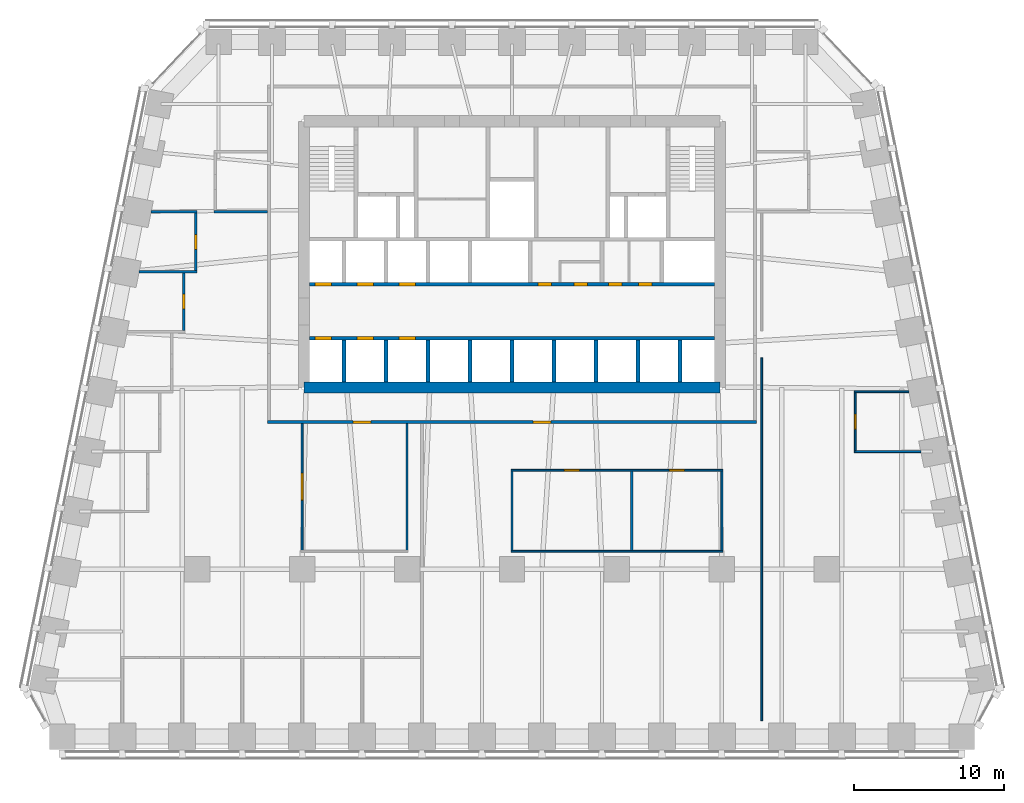
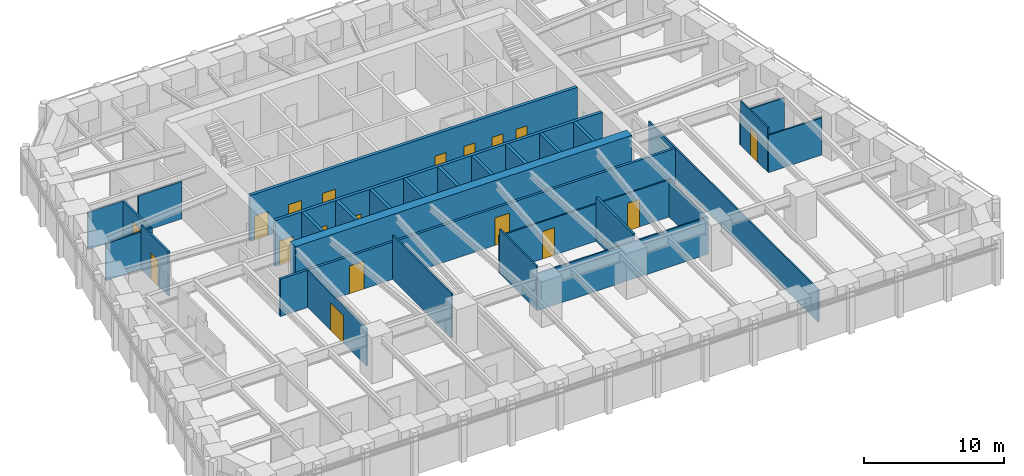
# One storey, part 6 of 10: 29 walls, 18 doors, 18 openings.
"""IFC4 building model written with IfcOpenShell, lengths in metres."""

from ifc_helpers import new_model, si_unit, direction, frame, frame_2d, origin, place, context, subcontext, project, spatial, rectangle, extrude, material, layer, layer_set, type_object, element, fill, save


model = new_model("IFC4")

# Units and contexts
model_context = context("Model", 3, precision=1e-05, world=origin(), true_north=direction((0.0, 1.0)))
body_context = subcontext(model_context, "Body", "Model", "MODEL_VIEW")
ifc_project = project(units=[si_unit("LENGTHUNIT", "METRE"), si_unit("AREAUNIT", "SQUARE_METRE"), si_unit("VOLUMEUNIT", "CUBIC_METRE"), si_unit("PLANEANGLEUNIT", "RADIAN"), si_unit("MASSUNIT", "GRAM", prefix="KILO")], contexts=[model_context])

# Site, building, storey
site_placement = place(None, origin())
site = spatial("IfcSite", under=ifc_project, at=site_placement, CompositionType="ELEMENT")
building_placement = place(site_placement, origin())
building = spatial("IfcBuilding", under=site, at=building_placement, Name="Isbrekke Arena Tower", CompositionType="ELEMENT")
storey_placement = place(building_placement, frame((0.0, 0.0, 103.0)))
storey = spatial("IfcBuildingStorey", under=building, at=storey_placement, Name="L22", CompositionType="ELEMENT", Elevation=103.0)

# Wall
ifc_material_1 = material(Name="Concrete B55 (C55/67)", Category="concrete")
ifc_layer_1 = layer(ifc_material_1, 0.75)
ifc_layer_set_1 = layer_set([ifc_layer_1], Name="CW3 CORE WALL 750")
wall_type_1 = type_object("IfcWallType", Name="CW3 CORE WALL 750", PredefinedType="SHEAR", material=ifc_layer_set_1)
wall_1_placement = place(storey_placement, frame((-13.875, 6.125, 0.0), z_axis=(0.0, 0.0, 1.0), x_axis=(1.0, 0.0, 0.0)))
element("IfcWall", 1, at=wall_1_placement, inside=storey, type_object=wall_type_1, Name="Core wall S L22", PredefinedType="SHEAR", context=body_context, shape_type="SweptSolid", body=[
    extrude(rectangle(XDim=27.75, YDim=0.75, at=frame_2d((13.875, 0.0))), origin(), (0.0, 0.0, 1.0), 4.0),
])

# Wall, openings, doors
ifc_material_2 = material(Name="Concrete B45 (C45/55)", Category="concrete")
ifc_layer_2 = layer(ifc_material_2, 0.25)
ifc_layer_set_2 = layer_set([ifc_layer_2], Name="CW6 SHAFT WALL 250")
wall_type_2 = type_object("IfcWallType", Name="CW6 SHAFT WALL 250", PredefinedType="SHEAR", material=ifc_layer_set_2)
wall_2_placement = place(storey_placement, frame((-13.5, 9.39990234375, 0.0), z_axis=(0.0, 0.0, 1.0), x_axis=(1.0, 0.0, 0.0)))
wall_2 = element("IfcWall", 2, at=wall_2_placement, inside=storey, type_object=wall_type_2, Name="Core wall LS L22", PredefinedType="SHEAR", context=body_context, shape_type="SweptSolid", body=[
    extrude(rectangle(XDim=27.0, YDim=0.25, at=frame_2d((13.5, 0.0))), origin(), (0.0, 0.0, 1.0), 4.0),
])
opening_1_placement = place(wall_2_placement, frame((0.35009765625, 0.0, 0.0)))
opening_1 = element("IfcOpeningElement", 3, at=opening_1_placement, cuts=wall_2, Name="Opening LD1", PredefinedType="OPENING", context=body_context, shape_type="SweptSolid", body=[
    extrude(rectangle(XDim=1.10009765625, YDim=2.10009765625, at=frame_2d((0.550048828125, 1.050048828125))), frame((0.0, 0.139892578125, 0.0), z_axis=(0.0, -1.0, 0.0), x_axis=(1.0, 0.0, 0.0)), (0.0, 0.0, 1.0), 0.27978515625),
])
opening_2_placement = place(wall_2_placement, frame((3.14990234375, 0.0, 0.0)))
opening_2 = element("IfcOpeningElement", 4, at=opening_2_placement, cuts=wall_2, Name="Opening LD1", PredefinedType="OPENING", context=body_context, shape_type="SweptSolid", body=[
    extrude(rectangle(XDim=1.10009765625, YDim=2.10009765625, at=frame_2d((0.550048828125, 1.050048828125))), frame((0.0, 0.139892578125, 0.0), z_axis=(0.0, -1.0, 0.0), x_axis=(1.0, 0.0, 0.0)), (0.0, 0.0, 1.0), 0.27978515625),
])
opening_3_placement = place(wall_2_placement, frame((5.949951171875, 0.0, 0.0)))
opening_3 = element("IfcOpeningElement", 5, at=opening_3_placement, cuts=wall_2, Name="Opening LD1", PredefinedType="OPENING", context=body_context, shape_type="SweptSolid", body=[
    extrude(rectangle(XDim=1.10009765625, YDim=2.10009765625, at=frame_2d((0.550048828125, 1.050048828125))), frame((0.0, 0.139892578125, 0.0), z_axis=(0.0, -1.0, 0.0), x_axis=(1.0, 0.0, 0.0)), (0.0, 0.0, 1.0), 0.27978515625),
])
ifc_material_3 = material(Name="Stainless steel lift landing door", Category="steel")
door_type_1 = type_object("IfcDoorType", Name="LD1 LIFT LANDING DOOR 1100 x 2100", OperationType="SLIDING_TO_LEFT", PredefinedType="DOOR", material=ifc_material_3)
door_1_placement = place(opening_1_placement, origin())
door_1 = element("IfcDoor", 6, at=door_1_placement, inside=storey, type_object=door_type_1, Name="LD1 lift landing door LB L22", OperationType="SLIDING_TO_LEFT", OverallHeight=2.10009765625, OverallWidth=1.10009765625, PredefinedType="DOOR", context=body_context, shape_type="SweptSolid", body=[
    extrude(rectangle(XDim=1.10009765625, YDim=2.10009765625, at=frame_2d((0.550048828125, 1.050048828125))), frame((0.0, 0.124755859375, 0.0), z_axis=(0.0, -1.0, 0.0), x_axis=(1.0, 0.0, 0.0)), (0.0, 0.0, 1.0), 0.24951171875),
])
fill(opening_1, door_1)
door_2_placement = place(opening_2_placement, origin())
door_2 = element("IfcDoor", 7, at=door_2_placement, inside=storey, type_object=door_type_1, Name="LD1 lift landing door LB L22", OperationType="SLIDING_TO_LEFT", OverallHeight=2.10009765625, OverallWidth=1.10009765625, PredefinedType="DOOR", context=body_context, shape_type="SweptSolid", body=[
    extrude(rectangle(XDim=1.10009765625, YDim=2.10009765625, at=frame_2d((0.550048828125, 1.050048828125))), frame((0.0, 0.124755859375, 0.0), z_axis=(0.0, -1.0, 0.0), x_axis=(1.0, 0.0, 0.0)), (0.0, 0.0, 1.0), 0.24951171875),
])
fill(opening_2, door_2)
door_3_placement = place(opening_3_placement, origin())
door_3 = element("IfcDoor", 8, at=door_3_placement, inside=storey, type_object=door_type_1, Name="LD1 lift landing door LB L22", OperationType="SLIDING_TO_LEFT", OverallHeight=2.10009765625, OverallWidth=1.10009765625, PredefinedType="DOOR", context=body_context, shape_type="SweptSolid", body=[
    extrude(rectangle(XDim=1.10009765625, YDim=2.10009765625, at=frame_2d((0.550048828125, 1.050048828125))), frame((0.0, 0.124755859375, 0.0), z_axis=(0.0, -1.0, 0.0), x_axis=(1.0, 0.0, 0.0)), (0.0, 0.0, 1.0), 0.24951171875),
])
fill(opening_3, door_3)

wall_3_placement = place(storey_placement, frame((-13.5, 13.0, 0.0), z_axis=(0.0, 0.0, 1.0), x_axis=(1.0, 0.0, 0.0)))
wall_3 = element("IfcWall", 9, at=wall_3_placement, inside=storey, type_object=wall_type_2, Name="Core wall LN L22", PredefinedType="SHEAR", context=body_context, shape_type="SweptSolid", body=[
    extrude(rectangle(XDim=27.0, YDim=0.25, at=frame_2d((13.5, 0.0))), origin(), (0.0, 0.0, 1.0), 4.0),
])
opening_4_placement = place(wall_3_placement, frame((0.35009765625, 0.0, 0.0)))
opening_4 = element("IfcOpeningElement", 10, at=opening_4_placement, cuts=wall_3, Name="Opening LD1", PredefinedType="OPENING", context=body_context, shape_type="SweptSolid", body=[
    extrude(rectangle(XDim=1.10009765625, YDim=2.10009765625, at=frame_2d((0.550048828125, 1.050048828125))), frame((0.0, 0.139892578125, 0.0), z_axis=(0.0, -1.0, 0.0), x_axis=(1.0, 0.0, 0.0)), (0.0, 0.0, 1.0), 0.27978515625),
])
opening_5_placement = place(wall_3_placement, frame((3.14990234375, 0.0, 0.0)))
opening_5 = element("IfcOpeningElement", 11, at=opening_5_placement, cuts=wall_3, Name="Opening LD1", PredefinedType="OPENING", context=body_context, shape_type="SweptSolid", body=[
    extrude(rectangle(XDim=1.10009765625, YDim=2.10009765625, at=frame_2d((0.550048828125, 1.050048828125))), frame((0.0, 0.139892578125, 0.0), z_axis=(0.0, -1.0, 0.0), x_axis=(1.0, 0.0, 0.0)), (0.0, 0.0, 1.0), 0.27978515625),
])
opening_6_placement = place(wall_3_placement, frame((5.949951171875, 0.0, 0.0)))
opening_6 = element("IfcOpeningElement", 12, at=opening_6_placement, cuts=wall_3, Name="Opening LD1", PredefinedType="OPENING", context=body_context, shape_type="SweptSolid", body=[
    extrude(rectangle(XDim=1.10009765625, YDim=2.10009765625, at=frame_2d((0.550048828125, 1.050048828125))), frame((0.0, 0.139892578125, 0.0), z_axis=(0.0, -1.0, 0.0), x_axis=(1.0, 0.0, 0.0)), (0.0, 0.0, 1.0), 0.27978515625),
])
opening_7_placement = place(wall_3_placement, frame((15.25, 0.0, 0.0)))
opening_7 = element("IfcOpeningElement", 13, at=opening_7_placement, cuts=wall_3, Name="Opening D5", PredefinedType="OPENING", context=body_context, shape_type="SweptSolid", body=[
    extrude(rectangle(XDim=0.89990234375, YDim=2.10009765625, at=frame_2d((0.449951171875, 1.050048828125))), frame((0.0, 0.139892578125, 0.0), z_axis=(0.0, -1.0, 0.0), x_axis=(1.0, 0.0, 0.0)), (0.0, 0.0, 1.0), 0.27978515625),
])
opening_8_placement = place(wall_3_placement, frame((17.64990234375, 0.0, 0.0)))
opening_8 = element("IfcOpeningElement", 14, at=opening_8_placement, cuts=wall_3, Name="Opening D5", PredefinedType="OPENING", context=body_context, shape_type="SweptSolid", body=[
    extrude(rectangle(XDim=0.89990234375, YDim=2.10009765625, at=frame_2d((0.449951171875, 1.050048828125))), frame((0.0, 0.139892578125, 0.0), z_axis=(0.0, -1.0, 0.0), x_axis=(1.0, 0.0, 0.0)), (0.0, 0.0, 1.0), 0.27978515625),
])
opening_9_placement = place(wall_3_placement, frame((19.949951171875, 0.0, 0.0)))
opening_9 = element("IfcOpeningElement", 15, at=opening_9_placement, cuts=wall_3, Name="Opening D5", PredefinedType="OPENING", context=body_context, shape_type="SweptSolid", body=[
    extrude(rectangle(XDim=0.89990234375, YDim=2.10009765625, at=frame_2d((0.449951171875, 1.050048828125))), frame((0.0, 0.139892578125, 0.0), z_axis=(0.0, -1.0, 0.0), x_axis=(1.0, 0.0, 0.0)), (0.0, 0.0, 1.0), 0.27978515625),
])
opening_10_placement = place(wall_3_placement, frame((21.949951171875, 0.0, 0.0)))
opening_10 = element("IfcOpeningElement", 16, at=opening_10_placement, cuts=wall_3, Name="Opening D5", PredefinedType="OPENING", context=body_context, shape_type="SweptSolid", body=[
    extrude(rectangle(XDim=0.89990234375, YDim=2.10009765625, at=frame_2d((0.449951171875, 1.050048828125))), frame((0.0, 0.139892578125, 0.0), z_axis=(0.0, -1.0, 0.0), x_axis=(1.0, 0.0, 0.0)), (0.0, 0.0, 1.0), 0.27978515625),
])
ifc_material_4 = material(Name="Steel fire door", Category="steel")
door_type_2 = type_object("IfcDoorType", Name="D5 SERVICE DOOR 900 x 2100", OperationType="SINGLE_SWING_LEFT", PredefinedType="DOOR", material=ifc_material_4)
door_4_placement = place(opening_7_placement, origin())
door_4 = element("IfcDoor", 17, at=door_4_placement, inside=storey, type_object=door_type_2, Name="D5 print room door L22", OperationType="SINGLE_SWING_LEFT", OverallHeight=2.10009765625, OverallWidth=0.89990234375, PredefinedType="DOOR", context=body_context, shape_type="SweptSolid", body=[
    extrude(rectangle(XDim=0.89990234375, YDim=2.10009765625, at=frame_2d((0.449951171875, 1.050048828125))), frame((0.0, 0.124755859375, 0.0), z_axis=(0.0, -1.0, 0.0), x_axis=(1.0, 0.0, 0.0)), (0.0, 0.0, 1.0), 0.24951171875),
])
fill(opening_7, door_4)
door_5_placement = place(opening_8_placement, origin())
door_5 = element("IfcDoor", 18, at=door_5_placement, inside=storey, type_object=door_type_2, Name="D5 cleaner's store door L22", OperationType="SINGLE_SWING_LEFT", OverallHeight=2.10009765625, OverallWidth=0.89990234375, PredefinedType="DOOR", context=body_context, shape_type="SweptSolid", body=[
    extrude(rectangle(XDim=0.89990234375, YDim=2.10009765625, at=frame_2d((0.449951171875, 1.050048828125))), frame((0.0, 0.124755859375, 0.0), z_axis=(0.0, -1.0, 0.0), x_axis=(1.0, 0.0, 0.0)), (0.0, 0.0, 1.0), 0.24951171875),
])
fill(opening_8, door_5)
door_6_placement = place(opening_9_placement, origin())
door_6 = element("IfcDoor", 19, at=door_6_placement, inside=storey, type_object=door_type_2, Name="D5 communications room door L22", OperationType="SINGLE_SWING_LEFT", OverallHeight=2.10009765625, OverallWidth=0.89990234375, PredefinedType="DOOR", context=body_context, shape_type="SweptSolid", body=[
    extrude(rectangle(XDim=0.89990234375, YDim=2.10009765625, at=frame_2d((0.449951171875, 1.050048828125))), frame((0.0, 0.124755859375, 0.0), z_axis=(0.0, -1.0, 0.0), x_axis=(1.0, 0.0, 0.0)), (0.0, 0.0, 1.0), 0.24951171875),
])
fill(opening_9, door_6)
door_7_placement = place(opening_10_placement, origin())
door_7 = element("IfcDoor", 20, at=door_7_placement, inside=storey, type_object=door_type_2, Name="D5 mothers' room door L22", OperationType="SINGLE_SWING_LEFT", OverallHeight=2.10009765625, OverallWidth=0.89990234375, PredefinedType="DOOR", context=body_context, shape_type="SweptSolid", body=[
    extrude(rectangle(XDim=0.89990234375, YDim=2.10009765625, at=frame_2d((0.449951171875, 1.050048828125))), frame((0.0, 0.124755859375, 0.0), z_axis=(0.0, -1.0, 0.0), x_axis=(1.0, 0.0, 0.0)), (0.0, 0.0, 1.0), 0.24951171875),
])
fill(opening_10, door_7)
door_8_placement = place(opening_4_placement, origin())
door_8 = element("IfcDoor", 21, at=door_8_placement, inside=storey, type_object=door_type_1, Name="LD1 lift landing door LB L22", OperationType="SLIDING_TO_LEFT", OverallHeight=2.10009765625, OverallWidth=1.10009765625, PredefinedType="DOOR", context=body_context, shape_type="SweptSolid", body=[
    extrude(rectangle(XDim=1.10009765625, YDim=2.10009765625, at=frame_2d((0.550048828125, 1.050048828125))), frame((0.0, 0.124755859375, 0.0), z_axis=(0.0, -1.0, 0.0), x_axis=(1.0, 0.0, 0.0)), (0.0, 0.0, 1.0), 0.24951171875),
])
fill(opening_4, door_8)
door_9_placement = place(opening_5_placement, origin())
door_9 = element("IfcDoor", 22, at=door_9_placement, inside=storey, type_object=door_type_1, Name="LD1 lift landing door LB L22", OperationType="SLIDING_TO_LEFT", OverallHeight=2.10009765625, OverallWidth=1.10009765625, PredefinedType="DOOR", context=body_context, shape_type="SweptSolid", body=[
    extrude(rectangle(XDim=1.10009765625, YDim=2.10009765625, at=frame_2d((0.550048828125, 1.050048828125))), frame((0.0, 0.124755859375, 0.0), z_axis=(0.0, -1.0, 0.0), x_axis=(1.0, 0.0, 0.0)), (0.0, 0.0, 1.0), 0.24951171875),
])
fill(opening_5, door_9)
door_10_placement = place(opening_6_placement, origin())
door_10 = element("IfcDoor", 23, at=door_10_placement, inside=storey, type_object=door_type_1, Name="LD1 lift landing door LB L22", OperationType="SLIDING_TO_LEFT", OverallHeight=2.10009765625, OverallWidth=1.10009765625, PredefinedType="DOOR", context=body_context, shape_type="SweptSolid", body=[
    extrude(rectangle(XDim=1.10009765625, YDim=2.10009765625, at=frame_2d((0.550048828125, 1.050048828125))), frame((0.0, 0.124755859375, 0.0), z_axis=(0.0, -1.0, 0.0), x_axis=(1.0, 0.0, 0.0)), (0.0, 0.0, 1.0), 0.24951171875),
])
fill(opening_6, door_10)

# Walls
for number, where, z_axis, x_axis, name in (
    (24, (-11.199951171875, 6.5, 0.0), (0.0, 0.0, 1.0), (0.0, 1.0, 0.0), "Core wall SS01 L22"),
    (25, (-8.39990234375, 6.5, 0.0), (0.0, 0.0, 1.0), (0.0, 1.0, 0.0), "Core wall SS02 L22"),
    (26, (-5.60009765625, 6.5, 0.0), (0.0, 0.0, 1.0), (0.0, 1.0, 0.0), "Core wall SS03 L22"),
    (27, (-2.800048828125, 6.5, 0.0), (0.0, 0.0, 1.0), (0.0, 1.0, 0.0), "Core wall SS04 L22"),
    (28, (0.0, 6.5, 0.0), (0.0, 0.0, 1.0), (0.0, 1.0, 0.0), "Core wall SS05 L22"),
    (29, (2.800048828125, 6.5, 0.0), (0.0, 0.0, 1.0), (0.0, 1.0, 0.0), "Core wall SS06 L22"),
    (30, (5.60009765625, 6.5, 0.0), (0.0, 0.0, 1.0), (0.0, 1.0, 0.0), "Core wall SS07 L22"),
    (31, (8.39990234375, 6.5, 0.0), (0.0, 0.0, 1.0), (0.0, 1.0, 0.0), "Core wall SS08 L22"),
    (32, (11.199951171875, 6.5, 0.0), (0.0, 0.0, 1.0), (0.0, 1.0, 0.0), "Core wall SS09 L22"),
):
    element("IfcWall", number, at=place(storey_placement, frame(where, z_axis=z_axis, x_axis=x_axis)), inside=storey, type_object=wall_type_2, Name=name, PredefinedType="SHEAR", context=body_context, shape_type="SweptSolid", body=[
        extrude(rectangle(XDim=2.77490234375, YDim=0.25, at=frame_2d((1.387451171875, 0.0))), origin(), (0.0, 0.0, 1.0), 4.0),
    ])
ifc_material_5 = material(Name="Gypsum board partition on steel studs", Category="steel")
ifc_layer_3 = layer(ifc_material_5, 0.14990234375)
ifc_layer_set_3 = layer_set([ifc_layer_3], Name="IW1 PARTITION 150")
wall_type_3 = type_object("IfcWallType", Name="IW1 PARTITION 150", PredefinedType="PARTITIONING", material=ifc_layer_set_3)
wall_4_placement = place(storey_placement, frame((-24.872802734375, 13.840087890625, 0.0), z_axis=(0.0, 0.0, 1.0), x_axis=(1.0, 0.0, 0.0)))
element("IfcWall", 33, at=wall_4_placement, inside=storey, type_object=wall_type_3, Name="IW1 partition 150 L22", PredefinedType="PARTITIONING", context=body_context, shape_type="SweptSolid", body=[
    extrude(rectangle(XDim=3.847900390625, YDim=0.14990234375, at=frame_2d((1.923828125, 0.0))), origin(), (0.0, 0.0, 1.0), 3.25),
])
wall_5_placement = place(storey_placement, frame((-24.07275390625, 17.840087890625, 0.0), z_axis=(0.0, 0.0, 1.0), x_axis=(1.0, 0.0, 0.0)))
element("IfcWall", 34, at=wall_5_placement, inside=storey, type_object=wall_type_3, Name="IW1 partition 150 L22", PredefinedType="PARTITIONING", context=body_context, shape_type="SweptSolid", body=[
    extrude(rectangle(XDim=3.0478515625, YDim=0.14990234375, at=frame_2d((1.52392578125, 0.0))), origin(), (0.0, 0.0, 1.0), 3.25),
])
wall_6_placement = place(storey_placement, frame((-19.875, 17.840087890625, 0.0), z_axis=(0.0, 0.0, 1.0), x_axis=(1.0, 0.0, 0.0)))
element("IfcWall", 35, at=wall_6_placement, inside=storey, type_object=wall_type_3, Name="IW1 partition 150 L22", PredefinedType="PARTITIONING", context=body_context, shape_type="SweptSolid", body=[
    extrude(rectangle(XDim=3.574951171875, YDim=0.14990234375, at=frame_2d((1.78759765625, 0.0))), origin(), (0.0, 0.0, 1.0), 3.25),
])

# Wall, opening, door
wall_7_placement = place(storey_placement, frame((-21.89990234375, 9.9150390625, 0.0), z_axis=(0.0, 0.0, 1.0), x_axis=(0.0, 1.0, 0.0)))
wall_7 = element("IfcWall", 36, at=wall_7_placement, inside=storey, type_object=wall_type_3, Name="IW1 partition 150 L22", PredefinedType="PARTITIONING", context=body_context, shape_type="SweptSolid", body=[
    extrude(rectangle(XDim=3.849853515625, YDim=0.14990234375, at=frame_2d((1.9248046875, 0.0))), origin(), (0.0, 0.0, 1.0), 3.85009765625),
])
opening_11_placement = place(wall_7_placement, frame((1.425048828125, 0.0, 0.0)))
opening_11 = element("IfcOpeningElement", 37, at=opening_11_placement, cuts=wall_7, Name="Opening D10", PredefinedType="OPENING", context=body_context, shape_type="SweptSolid", body=[
    extrude(rectangle(XDim=1.0, YDim=2.300048828125, at=frame_2d((0.5, 1.14990234375))), frame((0.0, 0.08984375, 0.0), z_axis=(0.0, -1.0, 0.0), x_axis=(1.0, 0.0, 0.0)), (0.0, 0.0, 1.0), 0.1796875),
])
ifc_material_6 = material(Name="Timber door", Category="wood")
door_type_3 = type_object("IfcDoorType", Name="D10 OFFICE DOOR 1000 x 2300", OperationType="SINGLE_SWING_LEFT", PredefinedType="DOOR", material=ifc_material_6)
door_11_placement = place(opening_11_placement, origin())
door_11 = element("IfcDoor", 38, at=door_11_placement, inside=storey, type_object=door_type_3, Name="D10 office door L22", OperationType="SINGLE_SWING_LEFT", OverallHeight=2.300048828125, OverallWidth=1.0, PredefinedType="DOOR", context=body_context, shape_type="SweptSolid", body=[
    extrude(rectangle(XDim=1.0, YDim=2.300048828125, at=frame_2d((0.5, 1.14990234375))), frame((0.0, 0.07470703125, 0.0), z_axis=(0.0, -1.0, 0.0), x_axis=(1.0, 0.0, 0.0)), (0.0, 0.0, 1.0), 0.1494140625),
])
fill(opening_11, door_11)

wall_8_placement = place(storey_placement, frame((-21.10009765625, 13.9150390625, 0.0), z_axis=(0.0, 0.0, 1.0), x_axis=(0.0, 1.0, 0.0)))
wall_8 = element("IfcWall", 39, at=wall_8_placement, inside=storey, type_object=wall_type_3, Name="IW1 partition 150 L22", PredefinedType="PARTITIONING", context=body_context, shape_type="SweptSolid", body=[
    extrude(rectangle(XDim=3.849853515625, YDim=0.14990234375, at=frame_2d((1.9248046875, 0.0))), origin(), (0.0, 0.0, 1.0), 3.25),
])
opening_12_placement = place(wall_8_placement, frame((1.425048828125, 0.0, 0.0)))
opening_12 = element("IfcOpeningElement", 40, at=opening_12_placement, cuts=wall_8, Name="Opening D10", PredefinedType="OPENING", context=body_context, shape_type="SweptSolid", body=[
    extrude(rectangle(XDim=1.0, YDim=2.300048828125, at=frame_2d((0.5, 1.14990234375))), frame((0.0, 0.08984375, 0.0), z_axis=(0.0, -1.0, 0.0), x_axis=(1.0, 0.0, 0.0)), (0.0, 0.0, 1.0), 0.1796875),
])
door_12_placement = place(opening_12_placement, origin())
door_12 = element("IfcDoor", 41, at=door_12_placement, inside=storey, type_object=door_type_3, Name="D10 office door L22", OperationType="SINGLE_SWING_LEFT", OverallHeight=2.300048828125, OverallWidth=1.0, PredefinedType="DOOR", context=body_context, shape_type="SweptSolid", body=[
    extrude(rectangle(XDim=1.0, YDim=2.300048828125, at=frame_2d((0.5, 1.14990234375))), frame((0.0, 0.07470703125, 0.0), z_axis=(0.0, -1.0, 0.0), x_axis=(1.0, 0.0, 0.0)), (0.0, 0.0, 1.0), 0.1494140625),
])
fill(opening_12, door_12)

# Wall
ifc_material_7 = material(Name="Frameless glazed partition, laminated acoustic glass", Category="glass")
ifc_layer_4 = layer(ifc_material_7, 0.1201171875)
ifc_layer_set_4 = layer_set([ifc_layer_4], Name="IW2 GLAZED PARTITION 120")
wall_type_4 = type_object("IfcWallType", Name="IW2 GLAZED PARTITION 120", PredefinedType="PARTITIONING", material=ifc_layer_set_4)
wall_9_placement = place(storey_placement, frame((-0.06005859375, -4.800048828125, 0.0), z_axis=(0.0, 0.0, 1.0), x_axis=(1.0, 0.0, 0.0)))
element("IfcWall", 42, at=wall_9_placement, inside=storey, type_object=wall_type_4, Name="IW2 glazed partition 120 L22", PredefinedType="PARTITIONING", context=body_context, shape_type="SweptSolid", body=[
    extrude(rectangle(XDim=14.1201171875, YDim=0.1201171875, at=frame_2d((7.06005859375, 0.0))), origin(), (0.0, 0.0, 1.0), 3.25),
])

# Wall, openings, doors
wall_10_placement = place(storey_placement, frame((-0.06005859375, 0.60009765625, 0.0), z_axis=(0.0, 0.0, 1.0), x_axis=(1.0, 0.0, 0.0)))
wall_10 = element("IfcWall", 43, at=wall_10_placement, inside=storey, type_object=wall_type_4, Name="IW2 glazed partition 120 L22", PredefinedType="PARTITIONING", context=body_context, shape_type="SweptSolid", body=[
    extrude(rectangle(XDim=14.1201171875, YDim=0.1201171875, at=frame_2d((7.06005859375, 0.0))), origin(), (0.0, 0.0, 1.0), 3.25),
])
opening_13_placement = place(wall_10_placement, frame((3.56005859375, 0.0, 0.0)))
opening_13 = element("IfcOpeningElement", 44, at=opening_13_placement, cuts=wall_10, Name="Opening D11", PredefinedType="OPENING", context=body_context, shape_type="SweptSolid", body=[
    extrude(rectangle(XDim=1.0, YDim=2.39990234375, at=frame_2d((0.5, 1.199951171875))), frame((0.0, 0.074951171875, 0.0), z_axis=(0.0, -1.0, 0.0), x_axis=(1.0, 0.0, 0.0)), (0.0, 0.0, 1.0), 0.14990234375),
])
opening_14_placement = place(wall_10_placement, frame((10.56005859375, 0.0, 0.0)))
opening_14 = element("IfcOpeningElement", 45, at=opening_14_placement, cuts=wall_10, Name="Opening D11", PredefinedType="OPENING", context=body_context, shape_type="SweptSolid", body=[
    extrude(rectangle(XDim=1.0, YDim=2.39990234375, at=frame_2d((0.5, 1.199951171875))), frame((0.0, 0.074951171875, 0.0), z_axis=(0.0, -1.0, 0.0), x_axis=(1.0, 0.0, 0.0)), (0.0, 0.0, 1.0), 0.14990234375),
])
ifc_material_8 = material(Name="Frameless glazed door", Category="glass")
door_type_4 = type_object("IfcDoorType", Name="D11 GLAZED MEETING ROOM DOOR 1000 x 2400", OperationType="SINGLE_SWING_RIGHT", PredefinedType="DOOR", material=ifc_material_8)
door_13_placement = place(opening_13_placement, origin())
door_13 = element("IfcDoor", 46, at=door_13_placement, inside=storey, type_object=door_type_4, Name="D11 meeting room door L22", OperationType="SINGLE_SWING_RIGHT", OverallHeight=2.39990234375, OverallWidth=1.0, PredefinedType="DOOR", context=body_context, shape_type="SweptSolid", body=[
    extrude(rectangle(XDim=1.0, YDim=2.39990234375, at=frame_2d((0.5, 1.199951171875))), frame((0.0, 0.059814453125, 0.0), z_axis=(0.0, -1.0, 0.0), x_axis=(1.0, 0.0, 0.0)), (0.0, 0.0, 1.0), 0.11962890625),
])
fill(opening_13, door_13)
door_14_placement = place(opening_14_placement, origin())
door_14 = element("IfcDoor", 47, at=door_14_placement, inside=storey, type_object=door_type_4, Name="D11 meeting room door L22", OperationType="SINGLE_SWING_RIGHT", OverallHeight=2.39990234375, OverallWidth=1.0, PredefinedType="DOOR", context=body_context, shape_type="SweptSolid", body=[
    extrude(rectangle(XDim=1.0, YDim=2.39990234375, at=frame_2d((0.5, 1.199951171875))), frame((0.0, 0.059814453125, 0.0), z_axis=(0.0, -1.0, 0.0), x_axis=(1.0, 0.0, 0.0)), (0.0, 0.0, 1.0), 0.11962890625),
])
fill(opening_14, door_14)

# Walls
wall_11_placement = place(storey_placement, frame((22.840087890625, 1.840087890625, 0.0), z_axis=(0.0, 0.0, 1.0), x_axis=(1.0, 0.0, 0.0)))
element("IfcWall", 48, at=wall_11_placement, inside=storey, type_object=wall_type_4, Name="IW2 glazed partition 120 L22", PredefinedType="PARTITIONING", context=body_context, shape_type="SweptSolid", body=[
    extrude(rectangle(XDim=4.4326171875, YDim=0.1201171875, at=frame_2d((2.21630859375, 0.0))), origin(), (0.0, 0.0, 1.0), 3.25),
])
wall_12_placement = place(storey_placement, frame((22.840087890625, 5.840087890625, 0.0), z_axis=(0.0, 0.0, 1.0), x_axis=(1.0, 0.0, 0.0)))
element("IfcWall", 49, at=wall_12_placement, inside=storey, type_object=wall_type_4, Name="IW2 glazed partition 120 L22", PredefinedType="PARTITIONING", context=body_context, shape_type="SweptSolid", body=[
    extrude(rectangle(XDim=3.6328125, YDim=0.1201171875, at=frame_2d((1.81640625, 0.0))), origin(), (0.0, 0.0, 1.0), 2.842041015625),
])

# Wall, opening, door
wall_13_placement = place(storey_placement, frame((-14.0, -4.739990234375, 0.0), z_axis=(0.0, 0.0, 1.0), x_axis=(0.0, 1.0, 0.0)))
wall_13 = element("IfcWall", 50, at=wall_13_placement, inside=storey, type_object=wall_type_4, Name="IW2 glazed partition 120 L22", PredefinedType="PARTITIONING", context=body_context, shape_type="SweptSolid", body=[
    extrude(rectangle(XDim=8.43994140625, YDim=0.1201171875, at=frame_2d((4.219970703125, 0.0))), origin(), (0.0, 0.0, 1.0), 3.25),
])
opening_15_placement = place(wall_13_placement, frame((3.340087890625, 0.0, 0.0)))
opening_15 = element("IfcOpeningElement", 51, at=opening_15_placement, cuts=wall_13, Name="Opening D13", PredefinedType="OPENING", context=body_context, shape_type="SweptSolid", body=[
    extrude(rectangle(XDim=1.800048828125, YDim=2.39990234375, at=frame_2d((0.89990234375, 1.199951171875))), frame((0.0, 0.074951171875, 0.0), z_axis=(0.0, -1.0, 0.0), x_axis=(1.0, 0.0, 0.0)), (0.0, 0.0, 1.0), 0.14990234375),
])
ifc_material_9 = material(Name="Timber door pair", Category="wood")
door_type_5 = type_object("IfcDoorType", Name="D13 DOUBLE ROOM DOOR 1800 x 2400", OperationType="DOUBLE_DOOR_SINGLE_SWING", PredefinedType="DOOR", material=ifc_material_9)
door_15_placement = place(opening_15_placement, origin())
door_15 = element("IfcDoor", 52, at=door_15_placement, inside=storey, type_object=door_type_5, Name="D13 meeting room door L22", OperationType="DOUBLE_DOOR_SINGLE_SWING", OverallHeight=2.39990234375, OverallWidth=1.800048828125, PredefinedType="DOOR", context=body_context, shape_type="SweptSolid", body=[
    extrude(rectangle(XDim=1.800048828125, YDim=2.39990234375, at=frame_2d((0.89990234375, 1.199951171875))), frame((0.0, 0.059814453125, 0.0), z_axis=(0.0, -1.0, 0.0), x_axis=(1.0, 0.0, 0.0)), (0.0, 0.0, 1.0), 0.11962890625),
])
fill(opening_15, door_15)

# Walls
wall_14_placement = place(storey_placement, frame((-7.0, -4.739990234375, 0.0), z_axis=(0.0, 0.0, 1.0), x_axis=(0.0, 1.0, 0.0)))
element("IfcWall", 53, at=wall_14_placement, inside=storey, type_object=wall_type_4, Name="IW2 glazed partition 120 L22", PredefinedType="PARTITIONING", context=body_context, shape_type="SweptSolid", body=[
    extrude(rectangle(XDim=8.43994140625, YDim=0.1201171875, at=frame_2d((4.219970703125, 0.0))), origin(), (0.0, 0.0, 1.0), 3.85009765625),
])
wall_15_placement = place(storey_placement, frame((0.0, -4.739990234375, 0.0), z_axis=(0.0, 0.0, 1.0), x_axis=(0.0, 1.0, 0.0)))
element("IfcWall", 54, at=wall_15_placement, inside=storey, type_object=wall_type_4, Name="IW2 glazed partition 120 L22", PredefinedType="PARTITIONING", context=body_context, shape_type="SweptSolid", body=[
    extrude(rectangle(XDim=5.280029296875, YDim=0.1201171875, at=frame_2d((2.64013671875, 0.0))), origin(), (0.0, 0.0, 1.0), 3.85009765625),
])
wall_16_placement = place(storey_placement, frame((14.0, -4.739990234375, 0.0), z_axis=(0.0, 0.0, 1.0), x_axis=(0.0, 1.0, 0.0)))
element("IfcWall", 55, at=wall_16_placement, inside=storey, type_object=wall_type_4, Name="IW2 glazed partition 120 L22", PredefinedType="PARTITIONING", context=body_context, shape_type="SweptSolid", body=[
    extrude(rectangle(XDim=5.280029296875, YDim=0.1201171875, at=frame_2d((2.64013671875, 0.0))), origin(), (0.0, 0.0, 1.0), 3.25),
])

# Wall, opening, door
wall_17_placement = place(storey_placement, frame((22.89990234375, 1.89990234375, 0.0), z_axis=(0.0, 0.0, 1.0), x_axis=(0.0, 1.0, 0.0)))
wall_17 = element("IfcWall", 56, at=wall_17_placement, inside=storey, type_object=wall_type_4, Name="IW2 glazed partition 120 L22", PredefinedType="PARTITIONING", context=body_context, shape_type="SweptSolid", body=[
    extrude(rectangle(XDim=3.880126953125, YDim=0.1201171875, at=frame_2d((1.93994140625, 0.0))), origin(), (0.0, 0.0, 1.0), 3.85009765625),
])
opening_16_placement = place(wall_17_placement, frame((1.43994140625, 0.0, 0.0)))
opening_16 = element("IfcOpeningElement", 57, at=opening_16_placement, cuts=wall_17, Name="Opening D11", PredefinedType="OPENING", context=body_context, shape_type="SweptSolid", body=[
    extrude(rectangle(XDim=1.0, YDim=2.39990234375, at=frame_2d((0.5, 1.199951171875))), frame((0.0, 0.074951171875, 0.0), z_axis=(0.0, -1.0, 0.0), x_axis=(1.0, 0.0, 0.0)), (0.0, 0.0, 1.0), 0.14990234375),
])
door_16_placement = place(opening_16_placement, origin())
door_16 = element("IfcDoor", 58, at=door_16_placement, inside=storey, type_object=door_type_4, Name="D11 project room door L22", OperationType="SINGLE_SWING_RIGHT", OverallHeight=2.39990234375, OverallWidth=1.0, PredefinedType="DOOR", context=body_context, shape_type="SweptSolid", body=[
    extrude(rectangle(XDim=1.0, YDim=2.39990234375, at=frame_2d((0.5, 1.199951171875))), frame((0.0, 0.059814453125, 0.0), z_axis=(0.0, -1.0, 0.0), x_axis=(1.0, 0.0, 0.0)), (0.0, 0.0, 1.0), 0.11962890625),
])
fill(opening_16, door_16)

# Wall
wall_18_placement = place(storey_placement, frame((16.660888671875, -16.10009765625, 0.0), z_axis=(0.0, 0.0, 1.0), x_axis=(0.0, 1.0, 0.0)))
element("IfcWall", 59, at=wall_18_placement, inside=storey, type_object=wall_type_4, Name="IW2 glazed partition 120 L22", PredefinedType="PARTITIONING", context=body_context, shape_type="SweptSolid", body=[
    extrude(rectangle(XDim=24.2001953125, YDim=0.1201171875, at=frame_2d((12.10009765625, 0.0))), origin(), (0.0, 0.0, 1.0), 2.842041015625),
])

# Wall, openings, doors
ifc_material_10 = material(Name="Gypsum board fire-cell wall on steel studs, two layers each side", Category="steel")
ifc_layer_5 = layer(ifc_material_10, 0.199951171875)
ifc_layer_set_5 = layer_set([ifc_layer_5], Name="IW3 FIRE-CELL WALL 200")
wall_type_5 = type_object("IfcWallType", Name="IW3 FIRE-CELL WALL 200", PredefinedType="PARTITIONING", material=ifc_layer_set_5)
wall_19_placement = place(storey_placement, frame((-16.300048828125, 3.800048828125, 0.0), z_axis=(0.0, 0.0, 1.0), x_axis=(1.0, 0.0, 0.0)))
wall_19 = element("IfcWall", 60, at=wall_19_placement, inside=storey, type_object=wall_type_5, Name="IW3 fire-cell wall 200 L22", PredefinedType="PARTITIONING", context=body_context, shape_type="SweptSolid", body=[
    extrude(rectangle(XDim=32.60009765625, YDim=0.199951171875, at=frame_2d((16.300048828125, 0.0))), origin(), (0.0, 0.0, 1.0), 3.25),
])
opening_17_placement = place(wall_19_placement, frame((5.699951171875, 0.0, 0.0)))
opening_17 = element("IfcOpeningElement", 61, at=opening_17_placement, cuts=wall_19, Name="Opening D12", PredefinedType="OPENING", context=body_context, shape_type="SweptSolid", body=[
    extrude(rectangle(XDim=1.199951171875, YDim=2.39990234375, at=frame_2d((0.60009765625, 1.199951171875))), frame((0.0, 0.11474609375, 0.0), z_axis=(0.0, -1.0, 0.0), x_axis=(1.0, 0.0, 0.0)), (0.0, 0.0, 1.0), 0.229736328125),
])
opening_18_placement = place(wall_19_placement, frame((17.699951171875, 0.0, 0.0)))
opening_18 = element("IfcOpeningElement", 62, at=opening_18_placement, cuts=wall_19, Name="Opening D12", PredefinedType="OPENING", context=body_context, shape_type="SweptSolid", body=[
    extrude(rectangle(XDim=1.199951171875, YDim=2.39990234375, at=frame_2d((0.60009765625, 1.199951171875))), frame((0.0, 0.11474609375, 0.0), z_axis=(0.0, -1.0, 0.0), x_axis=(1.0, 0.0, 0.0)), (0.0, 0.0, 1.0), 0.229736328125),
])
ifc_material_11 = material(Name="Timber fire door with vision panel", Category="wood")
door_type_6 = type_object("IfcDoorType", Name="D12 SUITE ENTRANCE DOOR 1200 x 2400", OperationType="SINGLE_SWING_LEFT", PredefinedType="DOOR", material=ifc_material_11)
door_17_placement = place(opening_17_placement, origin())
door_17 = element("IfcDoor", 63, at=door_17_placement, inside=storey, type_object=door_type_6, Name="D12 suite entrance B door L22", OperationType="SINGLE_SWING_LEFT", OverallHeight=2.39990234375, OverallWidth=1.199951171875, PredefinedType="DOOR", context=body_context, shape_type="SweptSolid", body=[
    extrude(rectangle(XDim=1.199951171875, YDim=2.39990234375, at=frame_2d((0.60009765625, 1.199951171875))), frame((0.0, 0.099609375, 0.0), z_axis=(0.0, -1.0, 0.0), x_axis=(1.0, 0.0, 0.0)), (0.0, 0.0, 1.0), 0.199462890625),
])
fill(opening_17, door_17)
door_18_placement = place(opening_18_placement, origin())
door_18 = element("IfcDoor", 64, at=door_18_placement, inside=storey, type_object=door_type_6, Name="D12 suite entrance A door L22", OperationType="SINGLE_SWING_LEFT", OverallHeight=2.39990234375, OverallWidth=1.199951171875, PredefinedType="DOOR", context=body_context, shape_type="SweptSolid", body=[
    extrude(rectangle(XDim=1.199951171875, YDim=2.39990234375, at=frame_2d((0.60009765625, 1.199951171875))), frame((0.0, 0.099609375, 0.0), z_axis=(0.0, -1.0, 0.0), x_axis=(1.0, 0.0, 0.0)), (0.0, 0.0, 1.0), 0.199462890625),
])
fill(opening_18, door_18)

# Wall
ifc_material_12 = material(Name="Gypsum board acoustic partition on twin steel studs", Category="steel")
ifc_layer_6 = layer(ifc_material_12, 0.175048828125)
ifc_layer_set_6 = layer_set([ifc_layer_6], Name="IW4 ACOUSTIC PARTITION 175")
wall_type_6 = type_object("IfcWallType", Name="IW4 ACOUSTIC PARTITION 175", PredefinedType="PARTITIONING", material=ifc_layer_set_6)
wall_20_placement = place(storey_placement, frame((8.0, -4.739990234375, 0.0), z_axis=(0.0, 0.0, 1.0), x_axis=(0.0, 1.0, 0.0)))
element("IfcWall", 65, at=wall_20_placement, inside=storey, type_object=wall_type_6, Name="IW4 acoustic partition 175 L22", PredefinedType="PARTITIONING", context=body_context, shape_type="SweptSolid", body=[
    extrude(rectangle(XDim=5.280029296875, YDim=0.175048828125, at=frame_2d((2.64013671875, 0.0))), origin(), (0.0, 0.0, 1.0), 3.85009765625),
])

save(model, "model.ifc")
